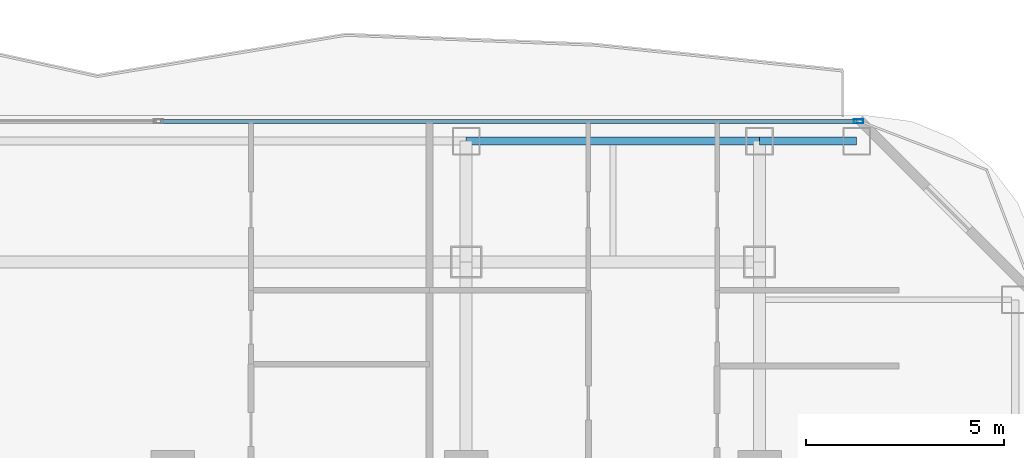
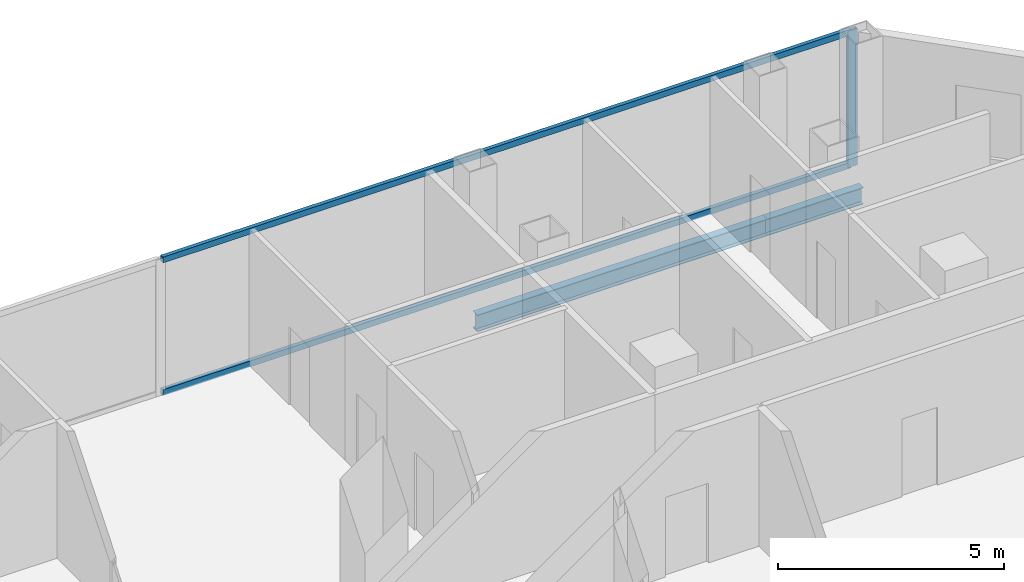
# One storey, part 17 of 26: 3 members, 2 beams, 1 element without a shape of its own.
"""IFC4 building model written with IfcOpenShell, lengths in metres."""

from ifc_helpers import new_model, si_unit, direction, frame, origin, origin_2d, place, context, subcontext, project, spatial, hollow_rectangle, i_section, extrude, material, layer, layer_set, material_profile, profile_set, type_object, element, aggregate, save


model = new_model("IFC4")

# Units and contexts
model_context = context("Model", 3, precision=1e-05, world=origin(), true_north=direction((0.0, 1.0)))
body_context = subcontext(model_context, "Body", "Model", "MODEL_VIEW")
ifc_project = project(units=[si_unit("LENGTHUNIT", "METRE"), si_unit("AREAUNIT", "SQUARE_METRE"), si_unit("VOLUMEUNIT", "CUBIC_METRE"), si_unit("PLANEANGLEUNIT", "RADIAN"), si_unit("MASSUNIT", "GRAM", prefix="KILO")], contexts=[model_context])

# Site, building, storey
site_placement = place(None, origin())
site = spatial("IfcSite", under=ifc_project, at=site_placement, CompositionType="ELEMENT")
building_placement = place(site_placement, origin())
building = spatial("IfcBuilding", under=site, at=building_placement, Name="Khorvyn Point Tower", CompositionType="ELEMENT")
storey_placement = place(building_placement, frame((0.0, 0.0, 183.60009765625)))
storey = spatial("IfcBuildingStorey", under=building, at=storey_placement, Name="L45", CompositionType="ELEMENT", Elevation=183.60009765625)

# Curtain wall, members
ifc_material_1 = material(Name="Anodised aluminium 6063-T6 and laminated Low-E glass", Category="aluminium")
ifc_layer = layer(ifc_material_1, 0.18994140625)
ifc_layer_set = layer_set([ifc_layer], Name="Stick-Built Acoustic Curtain Wall CW-SYS-03")
curtain_wall_type = type_object("IfcCurtainWallType", Name="Stick-Built Acoustic Curtain Wall CW-SYS-03", PredefinedType="NOTDEFINED", material=ifc_layer_set)
curtain_wall_placement = place(storey_placement, origin())
curtain_wall = element("IfcCurtainWall", 1, at=curtain_wall_placement, inside=storey, type_object=curtain_wall_type, Name="Curtain Wall", PredefinedType="NOTDEFINED")
ifc_material_2 = material(Name="Anodised aluminium 6063-T6", Category="aluminium")
ifc_material_profile_1 = material_profile(ifc_material_2, hollow_rectangle(XDim=0.10009765625, YDim=0.239990234375, WallThickness=0.0048828125, at=origin_2d()))
ifc_profile_set_1 = profile_set([ifc_material_profile_1], Name="Anodised aluminium 6063-T6 ALU-MUL-100x240")
member_type_1 = type_object("IfcMemberType", Name="Anodised Aluminium 6063-T6 Mullion ALU-MUL-100x240", PredefinedType="MULLION", material=ifc_profile_set_1)
member_1_placement = place(storey_placement, frame((17.300048828125, 23.64990234375, 0.0), z_axis=(0.0, 0.0, 1.0), x_axis=(0.0, 1.0, 0.0)))
member_1 = element("IfcMember", 2, at=member_1_placement, type_object=member_type_1, Name="Transom", PredefinedType="MULLION", context=body_context, shape_type="SweptSolid", body=[
    extrude(hollow_rectangle(XDim=0.10009765625, YDim=0.239990234375, WallThickness=0.0048828125, at=origin_2d()), origin(), (0.0, 0.0, 1.0), 3.679931640625),
])
ifc_material_profile_2 = material_profile(ifc_material_2, hollow_rectangle(XDim=0.10009765625, YDim=0.159912109375, WallThickness=0.00439453125, at=origin_2d()))
ifc_profile_set_2 = profile_set([ifc_material_profile_2], Name="Anodised aluminium 6063-T6 ALU-TRN-100x160")
member_type_2 = type_object("IfcMemberType", Name="Anodised Aluminium 6063-T6 Transom ALU-TRN-100x160", PredefinedType="USERDEFINED", material=ifc_profile_set_2)
member_2_placement = place(storey_placement, frame((-0.30908203125, 23.64990234375, 0.0498046875), z_axis=(1.0, 0.0, 0.0), x_axis=(0.0, 1.0, 0.0)))
member_2 = element("IfcMember", 3, at=member_2_placement, type_object=member_type_2, Name="Transom", ObjectType="TRANSOM", PredefinedType="USERDEFINED", context=body_context, shape_type="SweptSolid", body=[
    extrude(hollow_rectangle(XDim=0.10009765625, YDim=0.159912109375, WallThickness=0.00439453125, at=origin_2d()), origin(), (0.0, 0.0, 1.0), 17.55908203125),
])
member_3_placement = place(storey_placement, frame((-0.30908203125, 23.64990234375, 3.6298828125), z_axis=(1.0, 0.0, 0.0), x_axis=(0.0, 1.0, 0.0)))
member_3 = element("IfcMember", 4, at=member_3_placement, type_object=member_type_2, Name="Transom", ObjectType="TRANSOM", PredefinedType="USERDEFINED", context=body_context, shape_type="SweptSolid", body=[
    extrude(hollow_rectangle(XDim=0.10009765625, YDim=0.159912109375, WallThickness=0.00439453125, at=origin_2d()), origin(), (0.0, 0.0, 1.0), 17.55908203125),
])
aggregate(curtain_wall, [member_1, member_2, member_3])

# Beams
ifc_material_3 = material(Name="Steel S355", Category="steel")
ifc_material_profile_3 = material_profile(ifc_material_3, i_section(OverallWidth=0.199951171875, OverallDepth=0.449951171875, WebThickness=0.009033203125, FlangeThickness=0.013916015625, at=origin_2d()))
ifc_profile_set_3 = profile_set([ifc_material_profile_3], Name="Steel S355 H450x200x9x14")
beam_type = type_object("IfcBeamType", Name="Steel S355 Spandrel H450x200x9x14", PredefinedType="SPANDREL", material=ifc_profile_set_3)
beam_1_placement = place(storey_placement, frame((7.39990234375, 23.14990234375, -0.445068359375), z_axis=(1.0, 0.0, 0.0), x_axis=(0.0, 1.0, 0.0)))
element("IfcBeam", 5, at=beam_1_placement, inside=storey, type_object=beam_type, Name="Beam", PredefinedType="SPANDREL", context=body_context, shape_type="SweptSolid", body=[
    extrude(i_section(OverallWidth=0.199951171875, OverallDepth=0.449951171875, WebThickness=0.009033203125, FlangeThickness=0.013916015625, at=origin_2d()), origin(), (0.0, 0.0, 1.0), 7.400146484375),
])
beam_2_placement = place(storey_placement, frame((14.800048828125, 23.14990234375, -0.445068359375), z_axis=(1.0, 0.0, 0.0), x_axis=(0.0, 1.0, 0.0)))
element("IfcBeam", 6, at=beam_2_placement, inside=storey, type_object=beam_type, Name="Beam", PredefinedType="SPANDREL", context=body_context, shape_type="SweptSolid", body=[
    extrude(i_section(OverallWidth=0.199951171875, OverallDepth=0.449951171875, WebThickness=0.009033203125, FlangeThickness=0.013916015625, at=origin_2d()), origin(), (0.0, 0.0, 1.0), 2.449951171875),
])

save(model, "model.ifc")
